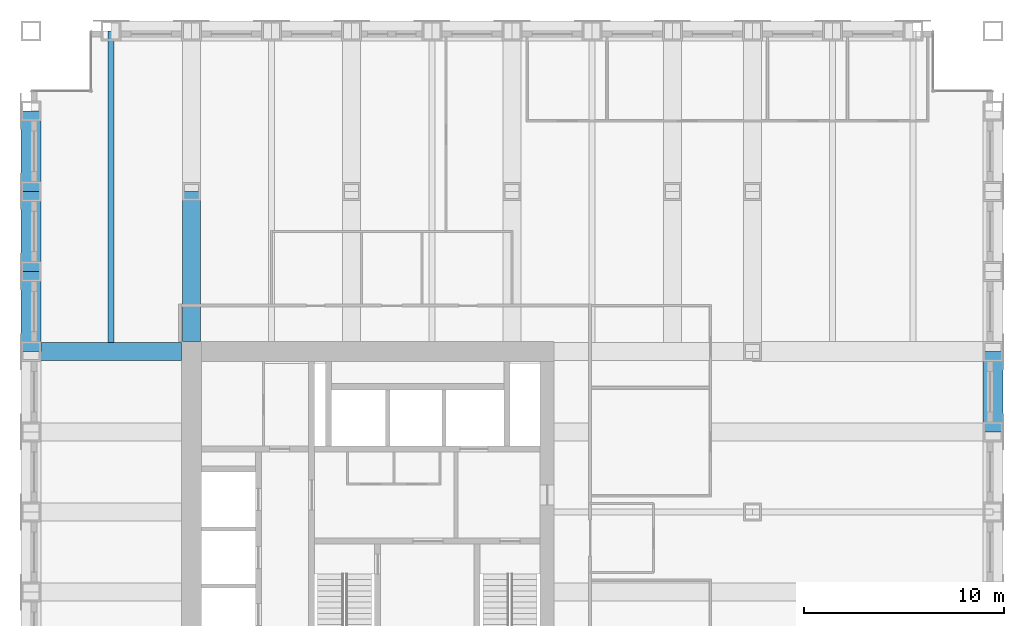
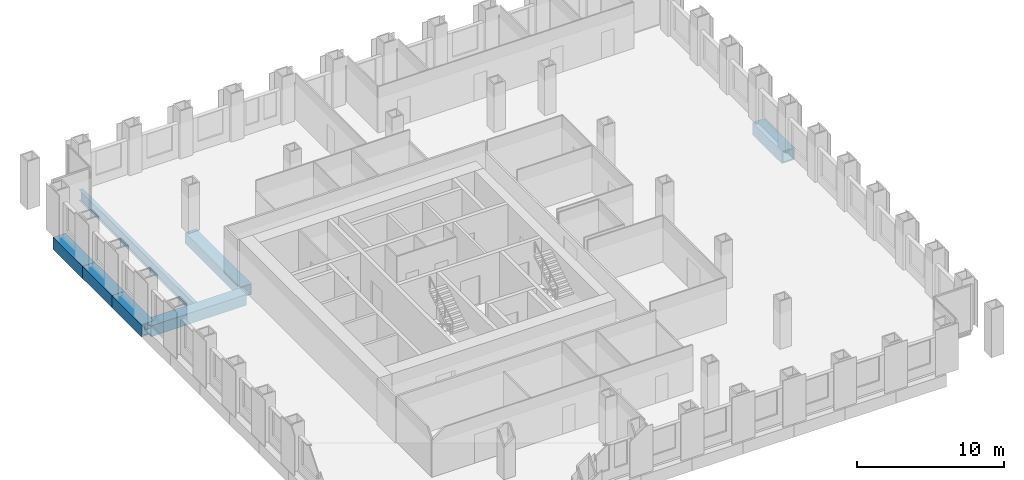
# One storey, part 5 of 15: 7 beams.
"""IFC4 building model written with IfcOpenShell, lengths in metres."""

import ifcopenshell
import ifcopenshell.guid

model = None  # the IFC model being written
_history = None  # IfcOwnerHistory: only IFC2X3 demands one
_inside = {}  # id of a spatial element -> (the spatial element, [elements in it])
_under = {}  # id of a project, library or spatial element -> (it, [spatial elements below it])
_declared = {}  # id of a project -> (the project, [libraries it declares])
_typed = {}  # id of a type object -> (the type object, [elements of that type])
_made_of = {}  # id of a material, layer set ... -> (it, [elements and type objects made of it])


def new_model(schema):
    """Start an empty IFC model of exactly this schema.

    Asked for "IFC4X3", IfcOpenShell would pick the latest addendum, in which some entities
    have other attributes; the version numbers below select the first issue.
    IFC2X3 requires an IfcOwnerHistory on every rooted entity: one is made here for all.
    """
    global model, _history
    if schema == "IFC4X3":
        model = ifcopenshell.file(schema_version=(4, 3, 0, 0))
    else:
        model = ifcopenshell.file(schema=schema)
    _inside.clear()
    _under.clear()
    _declared.clear()
    _typed.clear()
    _made_of.clear()
    _history = None
    if model.schema == "IFC2X3":
        org = make("IfcOrganization", Name="unknown")
        user = make(
            "IfcPersonAndOrganization",
            ThePerson=make("IfcPerson", FamilyName="unknown"),
            TheOrganization=org,
        )
        app = make(
            "IfcApplication",
            ApplicationDeveloper=org,
            Version="unknown",
            ApplicationFullName="unknown",
            ApplicationIdentifier="unknown",
        )
        _history = make(
            "IfcOwnerHistory",
            OwningUser=user,
            OwningApplication=app,
            ChangeAction="ADDED",
            CreationDate=0,
        )
    return model


def make(cls, **values):
    """One entity of the class cls with the attributes given. An attribute that is None is left unset."""
    return model.create_entity(
        cls, **{name: value for name, value in values.items() if value is not None}
    )


def rooted(cls, **values):
    """An entity with a GlobalId (a new one), such as an element, a storey or a relation."""
    return make(cls, GlobalId=ifcopenshell.guid.new(), OwnerHistory=_history, **values)


def si_unit(unit_type, name, prefix=None):
    """IfcSIUnit, for example si_unit("LENGTHUNIT", "METRE", prefix="MILLI")."""
    return make("IfcSIUnit", UnitType=unit_type, Prefix=prefix, Name=name)


def assignment(units):
    """IfcUnitAssignment: the units of a project."""
    return None if units is None else make("IfcUnitAssignment", Units=units)


def point(xyz):
    """IfcCartesianPoint."""
    return None if xyz is None else make("IfcCartesianPoint", Coordinates=xyz)


def direction(xyz):
    """IfcDirection."""
    return None if xyz is None else make("IfcDirection", DirectionRatios=xyz)


def frame(location, z_axis=None, x_axis=None):
    """IfcAxis2Placement3D, a coordinate frame: its origin and axes. An axis left out is left unset."""
    return make(
        "IfcAxis2Placement3D",
        Location=point(location),
        Axis=direction(z_axis),
        RefDirection=direction(x_axis),
    )


def frame_2d(location, x_axis=None):
    """IfcAxis2Placement2D, a coordinate frame in the plane: its origin and x axis."""
    return make(
        "IfcAxis2Placement2D", Location=point(location), RefDirection=direction(x_axis)
    )


def origin():
    """The frame at (0, 0, 0) with its axes left unset."""
    return frame((0.0, 0.0, 0.0))


def origin_2d():
    """The frame at (0, 0) in the plane with its x axis left unset."""
    return frame_2d((0.0, 0.0))


def place(relative_to, where):
    """IfcLocalPlacement: puts the frame where relative to a parent placement (None: the world)."""
    return make(
        "IfcLocalPlacement", PlacementRelTo=relative_to, RelativePlacement=where
    )


def context(
    kind, dimensions, precision=None, world=None, true_north=None, identifier=None
):
    """IfcGeometricRepresentationContext, for example the 3D "Model" context."""
    return make(
        "IfcGeometricRepresentationContext",
        ContextIdentifier=identifier,
        ContextType=kind,
        CoordinateSpaceDimension=dimensions,
        Precision=precision,
        WorldCoordinateSystem=world,
        TrueNorth=true_north,
    )


def subcontext(parent, identifier, kind, view, scale=None):
    """IfcGeometricRepresentationSubContext, for example "Body" below "Model"."""
    return make(
        "IfcGeometricRepresentationSubContext",
        ContextIdentifier=identifier,
        ContextType=kind,
        ParentContext=parent,
        TargetScale=scale,
        TargetView=view,
    )


def project(units=None, contexts=None):
    """IfcProject with its units and contexts."""
    return rooted(
        "IfcProject",
        Name="project",
        RepresentationContexts=contexts,
        UnitsInContext=assignment(units),
    )


def spatial(cls, under=None, at=None, **own):
    """A site, building, storey or space (cls), placed at a placement, below another one or the project."""
    s = rooted(cls, ObjectPlacement=at, **own)
    if under is not None:
        _under.setdefault(under.id(), (under, []))[1].append(s)
    return s


def profile(cls, at=None, kind="AREA", **sizes):
    """A parametric profile (cls). Its sizes go by their IFC names, for example OverallWidth=200.0."""
    return make(cls, ProfileType=kind, Position=at, **sizes)


def hollow_rectangle(**sizes):
    """IfcRectangleHollowProfileDef."""
    return profile("IfcRectangleHollowProfileDef", **sizes)


def i_section(**sizes):
    """IfcIShapeProfileDef."""
    return profile("IfcIShapeProfileDef", **sizes)


def extrude(swept, where, along, depth):
    """IfcExtrudedAreaSolid: the profile swept, set in the frame where, extruded along a direction by depth."""
    return make(
        "IfcExtrudedAreaSolid",
        SweptArea=swept,
        Position=where,
        ExtrudedDirection=direction(along),
        Depth=depth,
    )


def shape(context_of_items, identifier, shape_type, items):
    """IfcShapeRepresentation: the items that make up one representation, for example the "Body"."""
    return make(
        "IfcShapeRepresentation",
        ContextOfItems=context_of_items,
        RepresentationIdentifier=identifier,
        RepresentationType=shape_type,
        Items=items,
    )


def material(Name=None, Category=None):
    """IfcMaterial."""
    return make("IfcMaterial", Name=Name, Category=Category)


def material_profile(
    of_material, cross_section, Name=None, Category=None, Priority=None
):
    """IfcMaterialProfile: a cross section and its material."""
    return make(
        "IfcMaterialProfile",
        Name=Name,
        Material=of_material,
        Profile=cross_section,
        Priority=Priority,
        Category=Category,
    )


def profile_set(profiles, Name=None, composite=None):
    """IfcMaterialProfileSet."""
    return make(
        "IfcMaterialProfileSet",
        Name=Name,
        MaterialProfiles=profiles,
        CompositeProfile=composite,
    )


def made_of(thing, what):
    """Note that an element or type object is made of a material, layer set ...; save() writes the relation."""
    if what is not None:
        _made_of.setdefault(what.id(), (what, []))[1].append(thing)
    return thing


def type_object(cls, material=None, **own):
    """A type object (cls), such as IfcWallType, which elements share."""
    return made_of(rooted(cls, **own), material)


def element(
    cls,
    number,
    at=None,
    inside=None,
    cuts=None,
    type_object=None,
    material=None,
    context=None,
    identifier="Body",
    shape_type=None,
    held_by="IfcProductDefinitionShape",
    body=None,
    shapes=None,
    **own,
):
    """One element of the class cls, such as IfcWall. Its Tag is "e" and its number.

    at: its placement. inside: the storey or other place that contains it. cuts: it is an
    opening in that element (IfcRelVoidsElement). A single representation is given by context,
    identifier, shape_type and body (its items); several are given by shapes. held_by: the class
    of the entity that holds the representations. save() writes the other relations.
    """
    e = rooted(cls, Tag="e%d" % number, ObjectPlacement=at, **own)
    if body is not None:
        shapes = [shape(context, identifier, shape_type, body)]
    if shapes is not None:
        e.Representation = make(held_by, Representations=shapes)
    if inside is not None:
        _inside.setdefault(inside.id(), (inside, []))[1].append(e)
    if cuts is not None:
        rooted(
            "IfcRelVoidsElement", RelatingBuildingElement=cuts, RelatedOpeningElement=e
        )
    if type_object is not None:
        _typed.setdefault(type_object.id(), (type_object, []))[1].append(e)
    return made_of(e, material)


def aggregate(whole, parts):
    """IfcRelAggregates: a whole, such as a stair, and the parts it consists of."""
    return rooted("IfcRelAggregates", RelatingObject=whole, RelatedObjects=parts)


def save(model, path):
    """Write the relations noted so far, then the file.

    IfcRelAggregates (storeys below a building ...), IfcRelContainedInSpatialStructure (elements
    in a storey), IfcRelDefinesByType, IfcRelAssociatesMaterial and IfcRelDeclares: one each for
    every whole, place, type object, material and project.
    """
    for whole, parts in _under.values():
        aggregate(whole, parts)
    for where, things in _inside.values():
        rooted(
            "IfcRelContainedInSpatialStructure",
            RelatedElements=things,
            RelatingStructure=where,
        )
    for kind, things in _typed.values():
        rooted("IfcRelDefinesByType", RelatedObjects=things, RelatingType=kind)
    for what, things in _made_of.values():
        rooted("IfcRelAssociatesMaterial", RelatedObjects=things, RelatingMaterial=what)
    for by, libraries in _declared.values():
        rooted("IfcRelDeclares", RelatingContext=by, RelatedDefinitions=libraries)
    model.write(path)


model = new_model("IFC4")

# Units and contexts
model_context = context("Model", 3, precision=1e-05, world=origin(), true_north=direction((0.0, 1.0)))
body_context = subcontext(model_context, "Body", "Model", "MODEL_VIEW")
ifc_project = project(units=[si_unit("LENGTHUNIT", "METRE"), si_unit("AREAUNIT", "SQUARE_METRE"), si_unit("VOLUMEUNIT", "CUBIC_METRE"), si_unit("PLANEANGLEUNIT", "RADIAN"), si_unit("MASSUNIT", "GRAM", prefix="KILO")], contexts=[model_context])

# Site, building, storey
site_placement = place(None, origin())
site = spatial("IfcSite", under=ifc_project, at=site_placement, CompositionType="ELEMENT")
building_placement = place(site_placement, origin())
building = spatial("IfcBuilding", under=site, at=building_placement, Name="Rimbunsela Tower", CompositionType="ELEMENT")
storey_placement = place(building_placement, frame((0.0, 0.0, 113.39990234375)))
storey = spatial("IfcBuildingStorey", under=building, at=storey_placement, Name="L27", CompositionType="ELEMENT", Elevation=113.39990234375)

# Beams
ifc_material_1 = material(Name="Steel BJ 55 (fy 410 MPa)", Category="steel")
ifc_material_profile_1 = material_profile(ifc_material_1, hollow_rectangle(XDim=1.0, YDim=1.0, WallThickness=0.10009765625, at=origin_2d()), Name="BOX 1000x1000x100")
ifc_profile_set_1 = profile_set([ifc_material_profile_1], Name="Steel BJ 55 (fy 410 MPa)")
beam_type_1 = type_object("IfcBeamType", Name="Beam BOX 1000x1000x100", PredefinedType="BEAM", material=ifc_profile_set_1)
for number, where, z_axis, x_axis, name in (
    (1, (10.0, 36.0, -0.64990234375), (0.0, 1.0, 0.0), (-1.0, 0.0, 0.0), "Beam B3 L27"),
    (2, (10.0, 40.0, -0.64990234375), (0.0, 1.0, 0.0), (-1.0, 0.0, 0.0), "Beam B3 L27"),
    (3, (10.0, 44.0, -0.64990234375), (0.0, 1.0, 0.0), (-1.0, 0.0, 0.0), "Beam B3 L27"),
    (4, (58.0, 32.0, -0.64990234375), (0.0, 1.0, 0.0), (-1.0, 0.0, 0.0), "Beam B3 L27"),
):
    element("IfcBeam", number, at=place(storey_placement, frame(where, z_axis=z_axis, x_axis=x_axis)), inside=storey, type_object=beam_type_1, Name=name, PredefinedType="BEAM", context=body_context, shape_type="SweptSolid", body=[
        extrude(hollow_rectangle(XDim=1.0, YDim=1.0, WallThickness=0.10009765625, at=origin_2d()), origin(), (0.0, 0.0, 1.0), 4.0),
    ])
ifc_material_2 = material(Name="Steel BJ 55 (fy 410 MPa)", Category="steel")
ifc_material_profile_2 = material_profile(ifc_material_2, hollow_rectangle(XDim=0.89990234375, YDim=0.89990234375, WallThickness=0.06005859375, at=origin_2d()), Name="BOX 900x900x60")
ifc_profile_set_2 = profile_set([ifc_material_profile_2], Name="Steel BJ 55 (fy 410 MPa)")
beam_type_2 = type_object("IfcBeamType", Name="Beam BOX 900x900x60", PredefinedType="BEAM", material=ifc_profile_set_2)
for number, where, z_axis, x_axis, name in (
    (5, (10.0, 36.0, -0.599853515625), (1.0, 0.0, 0.0), (0.0, 1.0, 0.0), "Beam B1 L27"),
    (6, (18.0, 36.5, -0.599853515625), (0.0, 1.0, 0.0), (-1.0, 0.0, 0.0), "Beam B1 L27"),
):
    element("IfcBeam", number, at=place(storey_placement, frame(where, z_axis=z_axis, x_axis=x_axis)), inside=storey, type_object=beam_type_2, Name=name, PredefinedType="BEAM", context=body_context, shape_type="SweptSolid", body=[
        extrude(hollow_rectangle(XDim=0.89990234375, YDim=0.89990234375, WallThickness=0.06005859375, at=origin_2d()), origin(), (0.0, 0.0, 1.0), 7.5),
    ])
ifc_material_3 = material(Name="Steel BJ 55 (fy 410 MPa)", Category="steel")
ifc_material_profile_3 = material_profile(ifc_material_3, i_section(OverallWidth=0.300048828125, OverallDepth=0.89990234375, WebThickness=0.01611328125, FlangeThickness=0.028076171875, FilletRadius=0.028076171875, at=origin_2d()), Name="H 900x300x16x28")
ifc_profile_set_3 = profile_set([ifc_material_profile_3], Name="Steel BJ 55 (fy 410 MPa)")
beam_type_3 = type_object("IfcBeamType", Name="Beam H 900x300x16x28", PredefinedType="BEAM", material=ifc_profile_set_3)
beam_placement = place(storey_placement, frame((14.0, 36.449951171875, -0.599853515625), z_axis=(0.0, 1.0, 0.0), x_axis=(-1.0, 0.0, 0.0)))
element("IfcBeam", 7, at=beam_placement, inside=storey, type_object=beam_type_3, Name="Beam B2 L27", PredefinedType="BEAM", context=body_context, shape_type="SweptSolid", body=[
    extrude(i_section(OverallWidth=0.300048828125, OverallDepth=0.89990234375, WebThickness=0.01611328125, FlangeThickness=0.028076171875, FilletRadius=0.028076171875, at=origin_2d()), origin(), (0.0, 0.0, 1.0), 15.550048828125),
])

save(model, "model.ifc")
